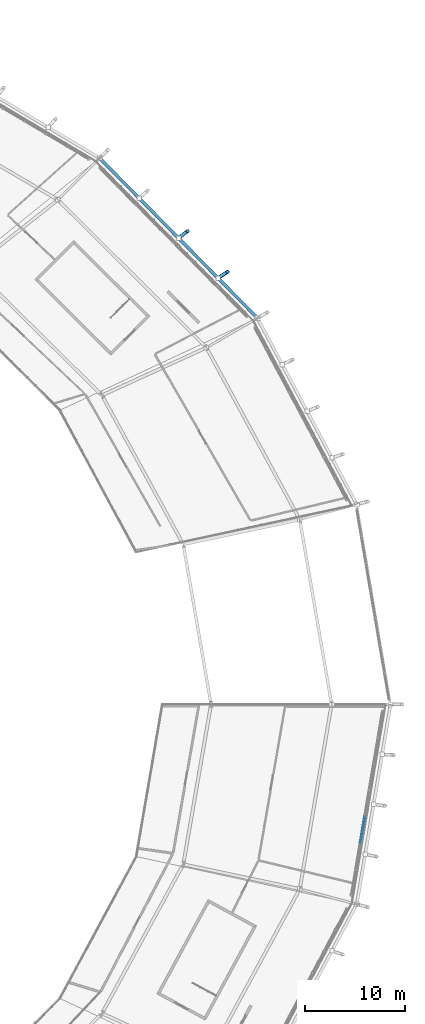
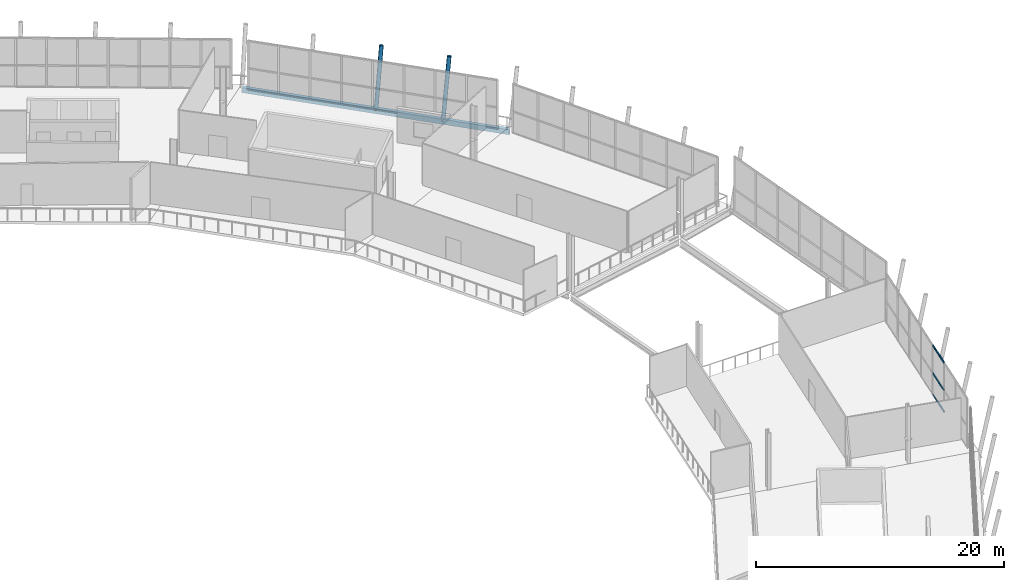
# One storey, part 41 of 99: 5 members, 1 beam, 1 element without a shape of its own.
"""IFC4 building model written with IfcOpenShell, lengths in metres."""

import ifcopenshell
import ifcopenshell.guid

model = None  # the IFC model being written
_history = None  # IfcOwnerHistory: only IFC2X3 demands one
_inside = {}  # id of a spatial element -> (the spatial element, [elements in it])
_under = {}  # id of a project, library or spatial element -> (it, [spatial elements below it])
_declared = {}  # id of a project -> (the project, [libraries it declares])
_typed = {}  # id of a type object -> (the type object, [elements of that type])
_made_of = {}  # id of a material, layer set ... -> (it, [elements and type objects made of it])


def new_model(schema):
    """Start an empty IFC model of exactly this schema.

    Asked for "IFC4X3", IfcOpenShell would pick the latest addendum, in which some entities
    have other attributes; the version numbers below select the first issue.
    IFC2X3 requires an IfcOwnerHistory on every rooted entity: one is made here for all.
    """
    global model, _history
    if schema == "IFC4X3":
        model = ifcopenshell.file(schema_version=(4, 3, 0, 0))
    else:
        model = ifcopenshell.file(schema=schema)
    _inside.clear()
    _under.clear()
    _declared.clear()
    _typed.clear()
    _made_of.clear()
    _history = None
    if model.schema == "IFC2X3":
        org = make("IfcOrganization", Name="unknown")
        user = make(
            "IfcPersonAndOrganization",
            ThePerson=make("IfcPerson", FamilyName="unknown"),
            TheOrganization=org,
        )
        app = make(
            "IfcApplication",
            ApplicationDeveloper=org,
            Version="unknown",
            ApplicationFullName="unknown",
            ApplicationIdentifier="unknown",
        )
        _history = make(
            "IfcOwnerHistory",
            OwningUser=user,
            OwningApplication=app,
            ChangeAction="ADDED",
            CreationDate=0,
        )
    return model


def make(cls, **values):
    """One entity of the class cls with the attributes given. An attribute that is None is left unset."""
    return model.create_entity(
        cls, **{name: value for name, value in values.items() if value is not None}
    )


def rooted(cls, **values):
    """An entity with a GlobalId (a new one), such as an element, a storey or a relation."""
    return make(cls, GlobalId=ifcopenshell.guid.new(), OwnerHistory=_history, **values)


def si_unit(unit_type, name, prefix=None):
    """IfcSIUnit, for example si_unit("LENGTHUNIT", "METRE", prefix="MILLI")."""
    return make("IfcSIUnit", UnitType=unit_type, Prefix=prefix, Name=name)


def assignment(units):
    """IfcUnitAssignment: the units of a project."""
    return None if units is None else make("IfcUnitAssignment", Units=units)


def point(xyz):
    """IfcCartesianPoint."""
    return None if xyz is None else make("IfcCartesianPoint", Coordinates=xyz)


def direction(xyz):
    """IfcDirection."""
    return None if xyz is None else make("IfcDirection", DirectionRatios=xyz)


def frame(location, z_axis=None, x_axis=None):
    """IfcAxis2Placement3D, a coordinate frame: its origin and axes. An axis left out is left unset."""
    return make(
        "IfcAxis2Placement3D",
        Location=point(location),
        Axis=direction(z_axis),
        RefDirection=direction(x_axis),
    )


def frame_2d(location, x_axis=None):
    """IfcAxis2Placement2D, a coordinate frame in the plane: its origin and x axis."""
    return make(
        "IfcAxis2Placement2D", Location=point(location), RefDirection=direction(x_axis)
    )


def origin():
    """The frame at (0, 0, 0) with its axes left unset."""
    return frame((0.0, 0.0, 0.0))


def origin_2d():
    """The frame at (0, 0) in the plane with its x axis left unset."""
    return frame_2d((0.0, 0.0))


def place(relative_to, where):
    """IfcLocalPlacement: puts the frame where relative to a parent placement (None: the world)."""
    return make(
        "IfcLocalPlacement", PlacementRelTo=relative_to, RelativePlacement=where
    )


def context(
    kind, dimensions, precision=None, world=None, true_north=None, identifier=None
):
    """IfcGeometricRepresentationContext, for example the 3D "Model" context."""
    return make(
        "IfcGeometricRepresentationContext",
        ContextIdentifier=identifier,
        ContextType=kind,
        CoordinateSpaceDimension=dimensions,
        Precision=precision,
        WorldCoordinateSystem=world,
        TrueNorth=true_north,
    )


def subcontext(parent, identifier, kind, view, scale=None):
    """IfcGeometricRepresentationSubContext, for example "Body" below "Model"."""
    return make(
        "IfcGeometricRepresentationSubContext",
        ContextIdentifier=identifier,
        ContextType=kind,
        ParentContext=parent,
        TargetScale=scale,
        TargetView=view,
    )


def project(units=None, contexts=None):
    """IfcProject with its units and contexts."""
    return rooted(
        "IfcProject",
        Name="project",
        RepresentationContexts=contexts,
        UnitsInContext=assignment(units),
    )


def spatial(cls, under=None, at=None, **own):
    """A site, building, storey or space (cls), placed at a placement, below another one or the project."""
    s = rooted(cls, ObjectPlacement=at, **own)
    if under is not None:
        _under.setdefault(under.id(), (under, []))[1].append(s)
    return s


def profile(cls, at=None, kind="AREA", **sizes):
    """A parametric profile (cls). Its sizes go by their IFC names, for example OverallWidth=200.0."""
    return make(cls, ProfileType=kind, Position=at, **sizes)


def rectangle(**sizes):
    """IfcRectangleProfileDef."""
    return profile("IfcRectangleProfileDef", **sizes)


def hollow_rectangle(**sizes):
    """IfcRectangleHollowProfileDef."""
    return profile("IfcRectangleHollowProfileDef", **sizes)


def hollow_circle(**sizes):
    """IfcCircleHollowProfileDef."""
    return profile("IfcCircleHollowProfileDef", **sizes)


def extrude(swept, where, along, depth):
    """IfcExtrudedAreaSolid: the profile swept, set in the frame where, extruded along a direction by depth."""
    return make(
        "IfcExtrudedAreaSolid",
        SweptArea=swept,
        Position=where,
        ExtrudedDirection=direction(along),
        Depth=depth,
    )


def shape(context_of_items, identifier, shape_type, items):
    """IfcShapeRepresentation: the items that make up one representation, for example the "Body"."""
    return make(
        "IfcShapeRepresentation",
        ContextOfItems=context_of_items,
        RepresentationIdentifier=identifier,
        RepresentationType=shape_type,
        Items=items,
    )


def material(Name=None, Category=None):
    """IfcMaterial."""
    return make("IfcMaterial", Name=Name, Category=Category)


def material_profile(
    of_material, cross_section, Name=None, Category=None, Priority=None
):
    """IfcMaterialProfile: a cross section and its material."""
    return make(
        "IfcMaterialProfile",
        Name=Name,
        Material=of_material,
        Profile=cross_section,
        Priority=Priority,
        Category=Category,
    )


def profile_set(profiles, Name=None, composite=None):
    """IfcMaterialProfileSet."""
    return make(
        "IfcMaterialProfileSet",
        Name=Name,
        MaterialProfiles=profiles,
        CompositeProfile=composite,
    )


def made_of(thing, what):
    """Note that an element or type object is made of a material, layer set ...; save() writes the relation."""
    if what is not None:
        _made_of.setdefault(what.id(), (what, []))[1].append(thing)
    return thing


def type_object(cls, material=None, **own):
    """A type object (cls), such as IfcWallType, which elements share."""
    return made_of(rooted(cls, **own), material)


def element(
    cls,
    number,
    at=None,
    inside=None,
    cuts=None,
    type_object=None,
    material=None,
    context=None,
    identifier="Body",
    shape_type=None,
    held_by="IfcProductDefinitionShape",
    body=None,
    shapes=None,
    **own,
):
    """One element of the class cls, such as IfcWall. Its Tag is "e" and its number.

    at: its placement. inside: the storey or other place that contains it. cuts: it is an
    opening in that element (IfcRelVoidsElement). A single representation is given by context,
    identifier, shape_type and body (its items); several are given by shapes. held_by: the class
    of the entity that holds the representations. save() writes the other relations.
    """
    e = rooted(cls, Tag="e%d" % number, ObjectPlacement=at, **own)
    if body is not None:
        shapes = [shape(context, identifier, shape_type, body)]
    if shapes is not None:
        e.Representation = make(held_by, Representations=shapes)
    if inside is not None:
        _inside.setdefault(inside.id(), (inside, []))[1].append(e)
    if cuts is not None:
        rooted(
            "IfcRelVoidsElement", RelatingBuildingElement=cuts, RelatedOpeningElement=e
        )
    if type_object is not None:
        _typed.setdefault(type_object.id(), (type_object, []))[1].append(e)
    return made_of(e, material)


def aggregate(whole, parts):
    """IfcRelAggregates: a whole, such as a stair, and the parts it consists of."""
    return rooted("IfcRelAggregates", RelatingObject=whole, RelatedObjects=parts)


def save(model, path):
    """Write the relations noted so far, then the file.

    IfcRelAggregates (storeys below a building ...), IfcRelContainedInSpatialStructure (elements
    in a storey), IfcRelDefinesByType, IfcRelAssociatesMaterial and IfcRelDeclares: one each for
    every whole, place, type object, material and project.
    """
    for whole, parts in _under.values():
        aggregate(whole, parts)
    for where, things in _inside.values():
        rooted(
            "IfcRelContainedInSpatialStructure",
            RelatedElements=things,
            RelatingStructure=where,
        )
    for kind, things in _typed.values():
        rooted("IfcRelDefinesByType", RelatedObjects=things, RelatingType=kind)
    for what, things in _made_of.values():
        rooted("IfcRelAssociatesMaterial", RelatedObjects=things, RelatingMaterial=what)
    for by, libraries in _declared.values():
        rooted("IfcRelDeclares", RelatingContext=by, RelatedDefinitions=libraries)
    model.write(path)


model = new_model("IFC4")

# Units and contexts
model_context = context("Model", 3, precision=1e-05, world=origin(), true_north=direction((0.0, 1.0)))
body_context = subcontext(model_context, "Body", "Model", "MODEL_VIEW")
ifc_project = project(units=[si_unit("LENGTHUNIT", "METRE"), si_unit("AREAUNIT", "SQUARE_METRE"), si_unit("VOLUMEUNIT", "CUBIC_METRE"), si_unit("PLANEANGLEUNIT", "RADIAN"), si_unit("MASSUNIT", "GRAM", prefix="KILO")], contexts=[model_context])

# Site, building, storey
site_placement = place(None, origin())
site = spatial("IfcSite", under=ifc_project, at=site_placement, CompositionType="ELEMENT")
building_placement = place(site_placement, origin())
building = spatial("IfcBuilding", under=site, at=building_placement, Name="Zlatoyarsky Gate Stadium", CompositionType="ELEMENT")
storey_placement = place(building_placement, frame((0.0, 0.0, 26.199951171875)))
storey = spatial("IfcBuildingStorey", under=building, at=storey_placement, Name="L05", CompositionType="ELEMENT", Elevation=26.199951171875)

# Curtain wall, members
ifc_material_1 = material(Name="Thermally broken anodised aluminium curtain wall", Category="aluminium")
curtain_wall_type = type_object("IfcCurtainWallType", Name="UNITISED SKYBOX RING GLAZING L05", PredefinedType="USERDEFINED", material=ifc_material_1)
curtain_wall_placement = place(storey_placement, origin())
curtain_wall = element("IfcCurtainWall", 1, at=curtain_wall_placement, inside=storey, type_object=curtain_wall_type, Name="Curtain wall CW-L05-23", ObjectType="UNITISED GLAZING", PredefinedType="USERDEFINED")
ifc_material_2 = material(Name="Anodised aluminium 6063-T6", Category="aluminium")
ifc_material_profile_1 = material_profile(ifc_material_2, rectangle(XDim=0.06494140625, YDim=0.139892578125, at=origin_2d()), Name="ALU 65X140")
ifc_profile_set_1 = profile_set([ifc_material_profile_1], Name="Anodised aluminium 6063-T6")
member_type_1 = type_object("IfcMemberType", Name="ALUMINIUM TRANSOM 65X140", PredefinedType="USERDEFINED", material=ifc_profile_set_1)
member_1_placement = place(storey_placement, frame((206.840576171875, 66.2236328125, 0.032470703125), z_axis=(0.167315052867, 0.985903480613, 0.0), x_axis=(-0.985903480613, 0.167315052867, 0.0)))
member_1 = element("IfcMember", 2, at=member_1_placement, type_object=member_type_1, Name="CW-UG5 transom 3.1", ObjectType="TRANSOM", PredefinedType="USERDEFINED", context=body_context, shape_type="SweptSolid", body=[
    extrude(rectangle(XDim=0.06494140625, YDim=0.139892578125, at=origin_2d()), origin(), (0.0, 0.0, 1.0), 2.60595703125),
])
member_2_placement = place(storey_placement, frame((206.840576171875, 66.2236328125, 2.150146484375), z_axis=(0.167315052867, 0.985903480613, 0.0), x_axis=(-0.985903480613, 0.167315052867, 0.0)))
member_2 = element("IfcMember", 3, at=member_2_placement, type_object=member_type_1, Name="CW-UG5 transom 3.2", ObjectType="TRANSOM", PredefinedType="USERDEFINED", context=body_context, shape_type="SweptSolid", body=[
    extrude(rectangle(XDim=0.06494140625, YDim=0.139892578125, at=origin_2d()), origin(), (0.0, 0.0, 1.0), 2.60595703125),
])
member_3_placement = place(storey_placement, frame((206.840576171875, 66.2236328125, 4.84765625), z_axis=(0.167315052867, 0.985903480613, 0.0), x_axis=(-0.985903480613, 0.167315052867, 0.0)))
member_3 = element("IfcMember", 4, at=member_3_placement, type_object=member_type_1, Name="CW-UG5 transom 3.3", ObjectType="TRANSOM", PredefinedType="USERDEFINED", context=body_context, shape_type="SweptSolid", body=[
    extrude(rectangle(XDim=0.06494140625, YDim=0.139892578125, at=origin_2d()), origin(), (0.0, 0.0, 1.0), 2.60595703125),
])
aggregate(curtain_wall, [member_1, member_2, member_3])

# Members
ifc_material_3 = material(Name="Steel S355", Category="steel")
ifc_material_profile_2 = material_profile(ifc_material_3, hollow_circle(Radius=0.177734375, WallThickness=0.02001953125, at=origin_2d()), Name="CHS 355.6X20")
ifc_profile_set_2 = profile_set([ifc_material_profile_2], Name="Steel S355")
member_type_2 = type_object("IfcMemberType", Name="STEEL LEANING RIB RING STRUT CHS 355.6X20", PredefinedType="STRUT", material=ifc_profile_set_2)
member_4_placement = place(storey_placement, frame((192.702392578125, 122.41943359375, -0.510009765625), z_axis=(0.164514777259, 0.109845641562, 0.980239166272), x_axis=(-0.555291946385, 0.83165549014, 0.0)))
element("IfcMember", 5, at=member_4_placement, inside=storey, type_object=member_type_2, Name="Outward-leaning bowl louvre fin rib L05 02-1", PredefinedType="STRUT", context=body_context, shape_type="SweptSolid", body=[
    extrude(hollow_circle(Radius=0.177734375, WallThickness=0.02001953125, at=origin_2d()), origin(), (0.0, 0.0, 1.0), 5.774169921875),
])
member_5_placement = place(storey_placement, frame((188.774169921875, 126.39990234375, -0.510009765625), z_axis=(0.156580017913, 0.120172943804, 0.98032706867), x_axis=(-0.608840732875, 0.793292481997, 0.0)))
element("IfcMember", 6, at=member_5_placement, inside=storey, type_object=member_type_2, Name="Outward-leaning bowl louvre fin rib L05 02-2", PredefinedType="STRUT", context=body_context, shape_type="SweptSolid", body=[
    extrude(hollow_circle(Radius=0.177734375, WallThickness=0.02001953125, at=origin_2d()), origin(), (0.0, 0.0, 1.0), 5.773681640625),
])

# Beam
ifc_material_profile_3 = material_profile(ifc_material_3, hollow_rectangle(XDim=0.300048828125, YDim=0.5, WallThickness=0.02001953125, at=origin_2d()), Name="RHS 500X300X20")
ifc_profile_set_3 = profile_set([ifc_material_profile_3], Name="Steel S355")
beam_type = type_object("IfcBeamType", Name="STEEL LOUVRE CARRIER SPANDREL RHS 500X300X20", PredefinedType="SPANDREL", material=ifc_profile_set_3)
beam_placement = place(storey_placement, frame((196.616943359375, 118.453125, -0.510009765625), z_axis=(-0.702433914239, 0.711748969881, 0.0), x_axis=(-0.711748969881, -0.702433914239, 0.0)))
element("IfcBeam", 7, at=beam_placement, inside=storey, type_object=beam_type, Name="Beam SP-RHS500 BM-L05-SPD-02", PredefinedType="SPANDREL", context=body_context, shape_type="SweptSolid", body=[
    extrude(hollow_rectangle(XDim=0.300048828125, YDim=0.5, WallThickness=0.02001953125, at=origin_2d()), origin(), (0.0, 0.0, 1.0), 22.330322265625),
])

save(model, "model.ifc")
